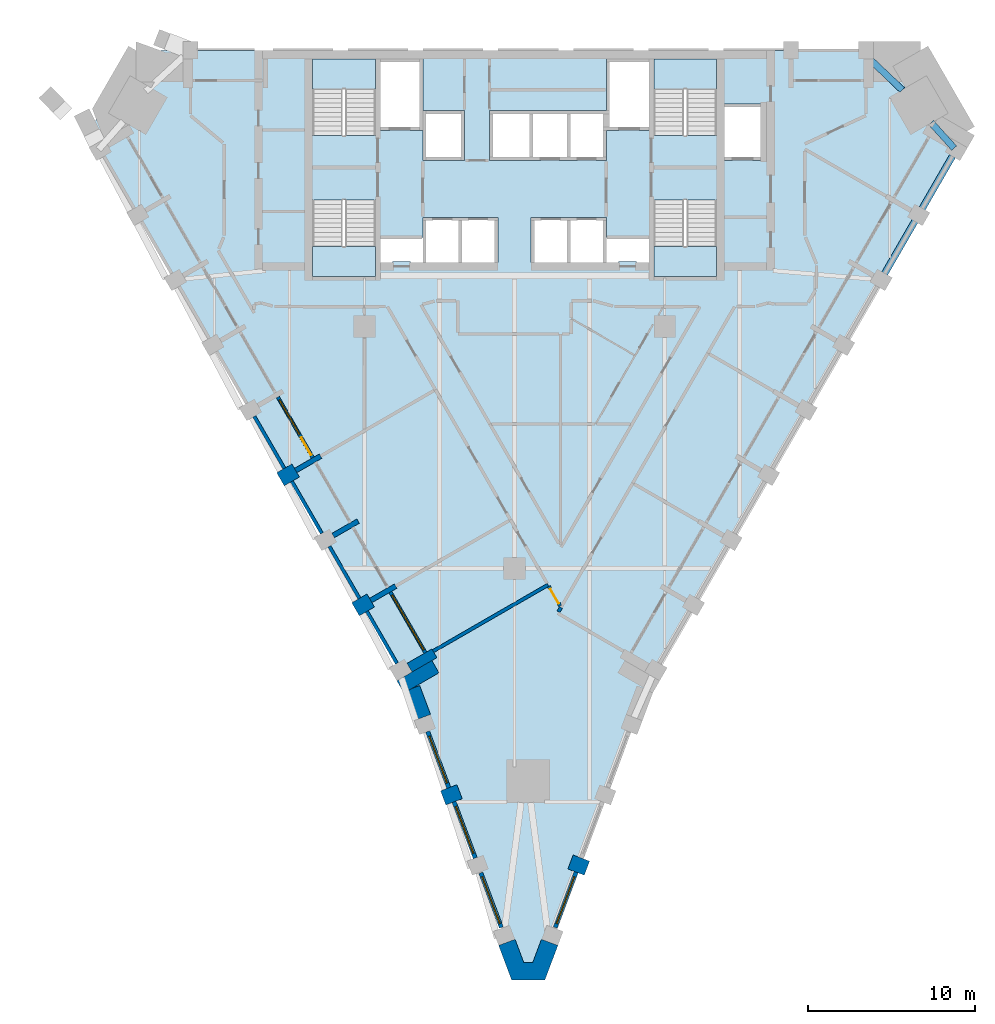
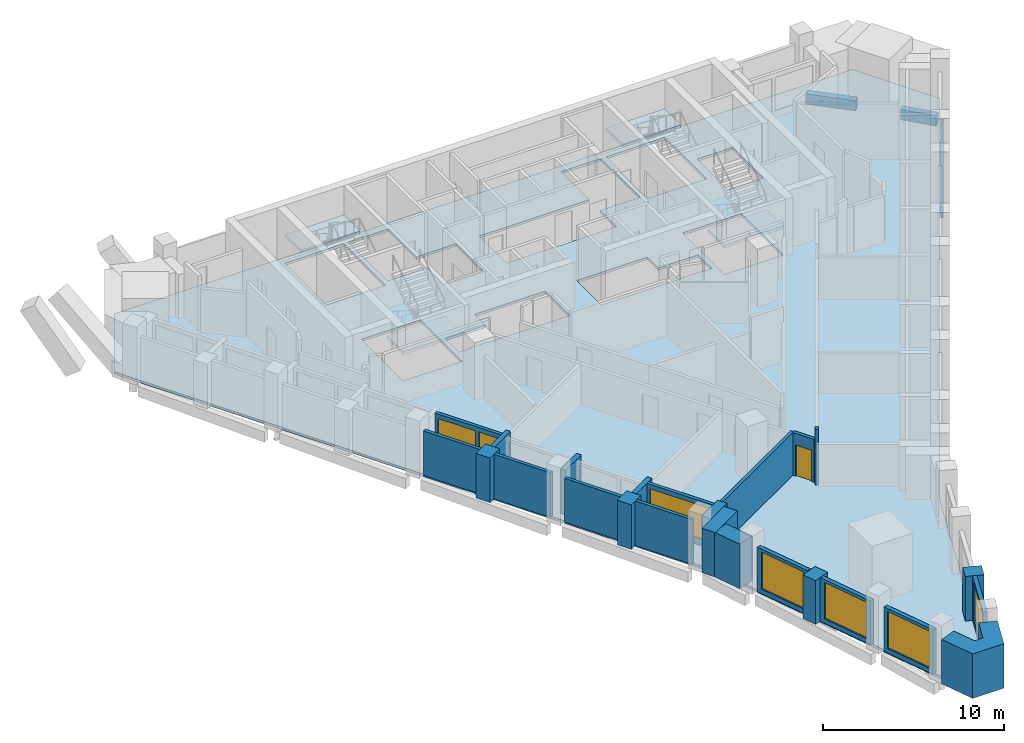
# One storey, part 2 of 10: 24 walls, 6 windows, 5 slabs, 3 beams, 2 doors, 8 openings, 4 elements without a shape of their own.
"""IFC4 building model written with IfcOpenShell, lengths in metres."""

import ifcopenshell
import ifcopenshell.guid

model = None  # the IFC model being written
_history = None  # IfcOwnerHistory: only IFC2X3 demands one
_inside = {}  # id of a spatial element -> (the spatial element, [elements in it])
_under = {}  # id of a project, library or spatial element -> (it, [spatial elements below it])
_declared = {}  # id of a project -> (the project, [libraries it declares])
_typed = {}  # id of a type object -> (the type object, [elements of that type])
_made_of = {}  # id of a material, layer set ... -> (it, [elements and type objects made of it])


def new_model(schema):
    """Start an empty IFC model of exactly this schema.

    Asked for "IFC4X3", IfcOpenShell would pick the latest addendum, in which some entities
    have other attributes; the version numbers below select the first issue.
    IFC2X3 requires an IfcOwnerHistory on every rooted entity: one is made here for all.
    """
    global model, _history
    if schema == "IFC4X3":
        model = ifcopenshell.file(schema_version=(4, 3, 0, 0))
    else:
        model = ifcopenshell.file(schema=schema)
    _inside.clear()
    _under.clear()
    _declared.clear()
    _typed.clear()
    _made_of.clear()
    _history = None
    if model.schema == "IFC2X3":
        org = make("IfcOrganization", Name="unknown")
        user = make(
            "IfcPersonAndOrganization",
            ThePerson=make("IfcPerson", FamilyName="unknown"),
            TheOrganization=org,
        )
        app = make(
            "IfcApplication",
            ApplicationDeveloper=org,
            Version="unknown",
            ApplicationFullName="unknown",
            ApplicationIdentifier="unknown",
        )
        _history = make(
            "IfcOwnerHistory",
            OwningUser=user,
            OwningApplication=app,
            ChangeAction="ADDED",
            CreationDate=0,
        )
    return model


def make(cls, **values):
    """One entity of the class cls with the attributes given. An attribute that is None is left unset."""
    return model.create_entity(
        cls, **{name: value for name, value in values.items() if value is not None}
    )


def rooted(cls, **values):
    """An entity with a GlobalId (a new one), such as an element, a storey or a relation."""
    return make(cls, GlobalId=ifcopenshell.guid.new(), OwnerHistory=_history, **values)


def si_unit(unit_type, name, prefix=None):
    """IfcSIUnit, for example si_unit("LENGTHUNIT", "METRE", prefix="MILLI")."""
    return make("IfcSIUnit", UnitType=unit_type, Prefix=prefix, Name=name)


def assignment(units):
    """IfcUnitAssignment: the units of a project."""
    return None if units is None else make("IfcUnitAssignment", Units=units)


def point(xyz):
    """IfcCartesianPoint."""
    return None if xyz is None else make("IfcCartesianPoint", Coordinates=xyz)


def direction(xyz):
    """IfcDirection."""
    return None if xyz is None else make("IfcDirection", DirectionRatios=xyz)


def frame(location, z_axis=None, x_axis=None):
    """IfcAxis2Placement3D, a coordinate frame: its origin and axes. An axis left out is left unset."""
    return make(
        "IfcAxis2Placement3D",
        Location=point(location),
        Axis=direction(z_axis),
        RefDirection=direction(x_axis),
    )


def frame_2d(location, x_axis=None):
    """IfcAxis2Placement2D, a coordinate frame in the plane: its origin and x axis."""
    return make(
        "IfcAxis2Placement2D", Location=point(location), RefDirection=direction(x_axis)
    )


def origin():
    """The frame at (0, 0, 0) with its axes left unset."""
    return frame((0.0, 0.0, 0.0))


def origin_2d():
    """The frame at (0, 0) in the plane with its x axis left unset."""
    return frame_2d((0.0, 0.0))


def place(relative_to, where):
    """IfcLocalPlacement: puts the frame where relative to a parent placement (None: the world)."""
    return make(
        "IfcLocalPlacement", PlacementRelTo=relative_to, RelativePlacement=where
    )


def context(
    kind, dimensions, precision=None, world=None, true_north=None, identifier=None
):
    """IfcGeometricRepresentationContext, for example the 3D "Model" context."""
    return make(
        "IfcGeometricRepresentationContext",
        ContextIdentifier=identifier,
        ContextType=kind,
        CoordinateSpaceDimension=dimensions,
        Precision=precision,
        WorldCoordinateSystem=world,
        TrueNorth=true_north,
    )


def subcontext(parent, identifier, kind, view, scale=None):
    """IfcGeometricRepresentationSubContext, for example "Body" below "Model"."""
    return make(
        "IfcGeometricRepresentationSubContext",
        ContextIdentifier=identifier,
        ContextType=kind,
        ParentContext=parent,
        TargetScale=scale,
        TargetView=view,
    )


def project(units=None, contexts=None):
    """IfcProject with its units and contexts."""
    return rooted(
        "IfcProject",
        Name="project",
        RepresentationContexts=contexts,
        UnitsInContext=assignment(units),
    )


def spatial(cls, under=None, at=None, **own):
    """A site, building, storey or space (cls), placed at a placement, below another one or the project."""
    s = rooted(cls, ObjectPlacement=at, **own)
    if under is not None:
        _under.setdefault(under.id(), (under, []))[1].append(s)
    return s


def polyline(points):
    """IfcPolyline through the points."""
    return make("IfcPolyline", Points=[point(p) for p in points])


def profile(cls, at=None, kind="AREA", **sizes):
    """A parametric profile (cls). Its sizes go by their IFC names, for example OverallWidth=200.0."""
    return make(cls, ProfileType=kind, Position=at, **sizes)


def rectangle(**sizes):
    """IfcRectangleProfileDef."""
    return profile("IfcRectangleProfileDef", **sizes)


def outline(outer, holes=None, kind="AREA"):
    """IfcArbitraryClosedProfileDef: a profile drawn as a closed curve; with holes, ...WithVoids."""
    if holes is None:
        return make("IfcArbitraryClosedProfileDef", ProfileType=kind, OuterCurve=outer)
    return make(
        "IfcArbitraryProfileDefWithVoids",
        ProfileType=kind,
        OuterCurve=outer,
        InnerCurves=holes,
    )


def extrude(swept, where, along, depth):
    """IfcExtrudedAreaSolid: the profile swept, set in the frame where, extruded along a direction by depth."""
    return make(
        "IfcExtrudedAreaSolid",
        SweptArea=swept,
        Position=where,
        ExtrudedDirection=direction(along),
        Depth=depth,
    )


def shape(context_of_items, identifier, shape_type, items):
    """IfcShapeRepresentation: the items that make up one representation, for example the "Body"."""
    return make(
        "IfcShapeRepresentation",
        ContextOfItems=context_of_items,
        RepresentationIdentifier=identifier,
        RepresentationType=shape_type,
        Items=items,
    )


def material(Name=None, Category=None):
    """IfcMaterial."""
    return make("IfcMaterial", Name=Name, Category=Category)


def layer(
    of_material, thickness, ventilated=None, Name=None, Category=None, Priority=None
):
    """IfcMaterialLayer: one layer of a wall or slab, of a material (None: an air gap)."""
    return make(
        "IfcMaterialLayer",
        Material=of_material,
        LayerThickness=thickness,
        IsVentilated=ventilated,
        Name=Name,
        Category=Category,
        Priority=Priority,
    )


def layer_set(layers, Name=None):
    """IfcMaterialLayerSet."""
    return make("IfcMaterialLayerSet", MaterialLayers=layers, LayerSetName=Name)


def material_profile(
    of_material, cross_section, Name=None, Category=None, Priority=None
):
    """IfcMaterialProfile: a cross section and its material."""
    return make(
        "IfcMaterialProfile",
        Name=Name,
        Material=of_material,
        Profile=cross_section,
        Priority=Priority,
        Category=Category,
    )


def profile_set(profiles, Name=None, composite=None):
    """IfcMaterialProfileSet."""
    return make(
        "IfcMaterialProfileSet",
        Name=Name,
        MaterialProfiles=profiles,
        CompositeProfile=composite,
    )


def made_of(thing, what):
    """Note that an element or type object is made of a material, layer set ...; save() writes the relation."""
    if what is not None:
        _made_of.setdefault(what.id(), (what, []))[1].append(thing)
    return thing


def type_object(cls, material=None, **own):
    """A type object (cls), such as IfcWallType, which elements share."""
    return made_of(rooted(cls, **own), material)


def element(
    cls,
    number,
    at=None,
    inside=None,
    cuts=None,
    type_object=None,
    material=None,
    context=None,
    identifier="Body",
    shape_type=None,
    held_by="IfcProductDefinitionShape",
    body=None,
    shapes=None,
    **own,
):
    """One element of the class cls, such as IfcWall. Its Tag is "e" and its number.

    at: its placement. inside: the storey or other place that contains it. cuts: it is an
    opening in that element (IfcRelVoidsElement). A single representation is given by context,
    identifier, shape_type and body (its items); several are given by shapes. held_by: the class
    of the entity that holds the representations. save() writes the other relations.
    """
    e = rooted(cls, Tag="e%d" % number, ObjectPlacement=at, **own)
    if body is not None:
        shapes = [shape(context, identifier, shape_type, body)]
    if shapes is not None:
        e.Representation = make(held_by, Representations=shapes)
    if inside is not None:
        _inside.setdefault(inside.id(), (inside, []))[1].append(e)
    if cuts is not None:
        rooted(
            "IfcRelVoidsElement", RelatingBuildingElement=cuts, RelatedOpeningElement=e
        )
    if type_object is not None:
        _typed.setdefault(type_object.id(), (type_object, []))[1].append(e)
    return made_of(e, material)


def fill(opening, filler):
    """IfcRelFillsElement: the door or window that sits in an opening."""
    return rooted(
        "IfcRelFillsElement",
        RelatingOpeningElement=opening,
        RelatedBuildingElement=filler,
    )


def aggregate(whole, parts):
    """IfcRelAggregates: a whole, such as a stair, and the parts it consists of."""
    return rooted("IfcRelAggregates", RelatingObject=whole, RelatedObjects=parts)


def save(model, path):
    """Write the relations noted so far, then the file.

    IfcRelAggregates (storeys below a building ...), IfcRelContainedInSpatialStructure (elements
    in a storey), IfcRelDefinesByType, IfcRelAssociatesMaterial and IfcRelDeclares: one each for
    every whole, place, type object, material and project.
    """
    for whole, parts in _under.values():
        aggregate(whole, parts)
    for where, things in _inside.values():
        rooted(
            "IfcRelContainedInSpatialStructure",
            RelatedElements=things,
            RelatingStructure=where,
        )
    for kind, things in _typed.values():
        rooted("IfcRelDefinesByType", RelatedObjects=things, RelatingType=kind)
    for what, things in _made_of.values():
        rooted("IfcRelAssociatesMaterial", RelatedObjects=things, RelatingMaterial=what)
    for by, libraries in _declared.values():
        rooted("IfcRelDeclares", RelatingContext=by, RelatedDefinitions=libraries)
    model.write(path)


model = new_model("IFC4")

# Units and contexts
model_context = context("Model", 3, precision=1e-05, world=origin(), true_north=direction((0.0, 1.0)))
body_context = subcontext(model_context, "Body", "Model", "MODEL_VIEW")
ifc_project = project(units=[si_unit("LENGTHUNIT", "METRE"), si_unit("AREAUNIT", "SQUARE_METRE"), si_unit("VOLUMEUNIT", "CUBIC_METRE"), si_unit("PLANEANGLEUNIT", "RADIAN"), si_unit("MASSUNIT", "GRAM", prefix="KILO")], contexts=[model_context])

# Site, building, storey
site_placement = place(None, origin())
site = spatial("IfcSite", under=ifc_project, at=site_placement, CompositionType="ELEMENT")
building_placement = place(site_placement, origin())
building = spatial("IfcBuilding", under=site, at=building_placement, Name="Calabash Gate Tower", CompositionType="ELEMENT")
storey_placement = place(building_placement, frame((0.0, 0.0, 183.60009765625)))
storey = spatial("IfcBuildingStorey", under=building, at=storey_placement, Name="L43", CompositionType="ELEMENT", Elevation=183.60009765625)

# Beams
ifc_material_1 = material(Name="Concrete C50/60", Category="concrete")
ifc_material_profile = material_profile(ifc_material_1, rectangle(XDim=0.39990234375, YDim=0.699951171875, at=origin_2d()))
ifc_profile_set = profile_set([ifc_material_profile], Name="Concrete C50/60")
beam_type = type_object("IfcBeamType", Name="Edge beam RC 400x700 Concrete C50/60", PredefinedType="BEAM", material=ifc_profile_set)
beam_1_placement = place(storey_placement, frame((21.98095703125, 5.31591796875, -0.52001953125), z_axis=(0.499942523257, 0.866058585455, 0.0), x_axis=(-0.866058585455, 0.499942523257, 0.0)))
element("IfcBeam", 1, at=beam_1_placement, inside=storey, type_object=beam_type, Name="Edge beam L43 14", PredefinedType="BEAM", context=body_context, shape_type="SweptSolid", body=[
    extrude(rectangle(XDim=0.39990234375, YDim=0.699951171875, at=origin_2d()), origin(), (0.0, 0.0, 1.0), 8.546875),
])
beam_2_placement = place(storey_placement, frame((26.35400390625, 13.197021484375, -0.52001953125), z_axis=(-0.671618813869, 0.740896867896, 0.0), x_axis=(-0.740896867896, -0.671618813869, 0.0)))
element("IfcBeam", 2, at=beam_2_placement, inside=storey, type_object=beam_type, Name="Edge beam L43 15", PredefinedType="BEAM", context=body_context, shape_type="SweptSolid", body=[
    extrude(rectangle(XDim=0.39990234375, YDim=0.699951171875, at=origin_2d()), origin(), (0.0, 0.0, 1.0), 2.065185546875),
])
beam_3_placement = place(storey_placement, frame((23.242919921875, 16.68603515625, -0.52001953125), z_axis=(-0.725726019307, 0.687983826045, 0.0), x_axis=(-0.687983826045, -0.725726019307, 0.0)))
element("IfcBeam", 3, at=beam_3_placement, inside=storey, type_object=beam_type, Name="Edge beam L43 16", PredefinedType="BEAM", context=body_context, shape_type="SweptSolid", body=[
    extrude(rectangle(XDim=0.39990234375, YDim=0.699951171875, at=origin_2d()), origin(), (0.0, 0.0, 1.0), 2.859130859375),
])

# Slab
ifc_material_2 = material(Name="Concrete C40/50", Category="concrete")
ifc_layer_1 = layer(ifc_material_2, 0.169921875)
ifc_layer_set_1 = layer_set([ifc_layer_1], Name="Composite floor slab 170 Concrete C40/50")
slab_type_1 = type_object("IfcSlabType", Name="Composite floor slab 170 Concrete C40/50", PredefinedType="FLOOR", material=ifc_layer_set_1)
slab_1_placement = place(storey_placement, frame((0.0, 0.0, -0.170166015625)))
element("IfcSlab", 4, at=slab_1_placement, inside=storey, type_object=slab_type_1, Name="Floor slab L43", PredefinedType="FLOOR", context=body_context, shape_type="SweptSolid", body=[
    extrude(outline(polyline([(-22.68798828125, 19.052490234375), (24.33154296875, 19.052490234375), (27.12158203125, 14.22021484375), (7.82177734375, -19.207763671875), (1.455078125, -36.147216796875), (0.1884765625, -36.147216796875), (-6.17822265625, -19.207763671875), (-25.477783203125, 14.22021484375), (-22.68798828125, 19.052490234375)]), holes=[polyline([(-3.25, 9.052490234375), (-5.5, 9.052490234375), (-5.5, 7.8525390625), (-8.050048828125, 7.8525390625), (-8.050048828125, 6.3525390625), (-7.324951171875, 6.3525390625), (-7.324951171875, 6.402587890625), (-6.22509765625, 6.402587890625), (-6.22509765625, 6.3525390625), (-5.5, 6.3525390625), (-3.25, 6.3525390625), (-1.0, 6.3525390625), (-1.0, 9.052490234375), (-3.25, 9.052490234375)]), polyline([(5.5, 6.3525390625), (6.22509765625, 6.3525390625), (6.22509765625, 6.402587890625), (7.324951171875, 6.402587890625), (7.324951171875, 6.3525390625), (8.050048828125, 6.3525390625), (8.050048828125, 7.8525390625), (5.5, 7.8525390625), (5.5, 9.052490234375), (3.25, 9.052490234375), (1.0, 9.052490234375), (1.0, 6.3525390625), (3.25, 6.3525390625), (5.5, 6.3525390625)]), polyline([(-5.5, 12.45263671875), (-3.0, 12.45263671875), (-3.0, 15.45263671875), (-5.5, 15.45263671875), (-5.5, 18.552490234375), (-8.050048828125, 18.552490234375), (-8.050048828125, 14.252685546875), (-5.5, 14.252685546875), (-5.5, 12.45263671875)]), polyline([(-1.5, 15.45263671875), (-1.5, 12.45263671875), (1.0, 12.45263671875), (3.25, 12.45263671875), (5.5, 12.45263671875), (5.5, 14.252685546875), (8.050048828125, 14.252685546875), (8.050048828125, 18.552490234375), (5.5, 18.552490234375), (5.5, 15.45263671875), (3.25, 15.45263671875), (1.0, 15.45263671875), (-1.5, 15.45263671875)]), polyline([(14.85009765625, 15.8525390625), (12.60009765625, 15.8525390625), (12.60009765625, 12.45263671875), (14.85009765625, 12.45263671875), (14.85009765625, 15.8525390625)]), polyline([(-8.35009765625, 18.552490234375), (-12.10009765625, 18.552490234375), (-12.10009765625, 13.95263671875), (-8.35009765625, 13.95263671875), (-8.35009765625, 18.552490234375)]), polyline([(-12.10009765625, 10.1025390625), (-12.10009765625, 5.502685546875), (-8.35009765625, 5.502685546875), (-8.35009765625, 10.1025390625), (-12.10009765625, 10.1025390625)]), polyline([(8.35009765625, 13.95263671875), (12.10009765625, 13.95263671875), (12.10009765625, 18.552490234375), (8.35009765625, 18.552490234375), (8.35009765625, 13.95263671875)]), polyline([(12.10009765625, 5.502685546875), (12.10009765625, 10.1025390625), (8.35009765625, 10.1025390625), (8.35009765625, 5.502685546875), (12.10009765625, 5.502685546875)])]), origin(), (0.0, 0.0, 1.0), 0.170166015625),
])

# Stair, slab
ifc_material_3 = material(Name="Concrete C40/50", Category="concrete")
stair_type = type_object("IfcStairType", Name="Exit stair 22 risers of 177.3 mm", PredefinedType="HALF_TURN_STAIR", material=ifc_material_3)
stair_1_placement = place(storey_placement, origin())
stair_1 = element("IfcStair", 5, at=stair_1_placement, inside=storey, type_object=stair_type, Name="L43 Exit stair ST1", PredefinedType="HALF_TURN_STAIR")
ifc_material_4 = material(Name="Concrete C40/50", Category="concrete")
ifc_layer_2 = layer(ifc_material_4, 0.199951171875)
ifc_layer_set_2 = layer_set([ifc_layer_2], Name="Stair landing SL200")
slab_type_2 = type_object("IfcSlabType", Name="Stair landing SL200", PredefinedType="LANDING", material=ifc_layer_set_2)
slab_2_placement = place(storey_placement, frame((0.0, 0.0, 1.75)))
slab_2 = element("IfcSlab", 6, at=slab_2_placement, type_object=slab_type_2, Name="ST1 landing 1", PredefinedType="LANDING", context=body_context, shape_type="SweptSolid", body=[
    extrude(outline(polyline([(-8.35009765625, 16.74267578125), (-8.35009765625, 18.552490234375), (-12.10009765625, 18.552490234375), (-12.10009765625, 16.74267578125), (-8.35009765625, 16.74267578125)])), origin(), (0.0, 0.0, 1.0), 0.199951171875),
])
aggregate(stair_1, [slab_2])

stair_2_placement = place(storey_placement, origin())
stair_2 = element("IfcStair", 7, at=stair_2_placement, inside=storey, type_object=stair_type, Name="L43 Exit stair ST2", PredefinedType="HALF_TURN_STAIR")
slab_3_placement = place(storey_placement, frame((0.0, 0.0, 1.75)))
slab_3 = element("IfcSlab", 8, at=slab_3_placement, type_object=slab_type_2, Name="ST2 landing 1", PredefinedType="LANDING", context=body_context, shape_type="SweptSolid", body=[
    extrude(outline(polyline([(-12.10009765625, 7.3125), (-12.10009765625, 5.502685546875), (-8.35009765625, 5.502685546875), (-8.35009765625, 7.3125), (-12.10009765625, 7.3125)])), origin(), (0.0, 0.0, 1.0), 0.199951171875),
])
aggregate(stair_2, [slab_3])

stair_3_placement = place(storey_placement, origin())
stair_3 = element("IfcStair", 9, at=stair_3_placement, inside=storey, type_object=stair_type, Name="L43 Exit stair ST3", PredefinedType="HALF_TURN_STAIR")
slab_4_placement = place(storey_placement, frame((0.0, 0.0, 1.75)))
slab_4 = element("IfcSlab", 10, at=slab_4_placement, type_object=slab_type_2, Name="ST3 landing 1", PredefinedType="LANDING", context=body_context, shape_type="SweptSolid", body=[
    extrude(outline(polyline([(12.10009765625, 16.74267578125), (12.10009765625, 18.552490234375), (8.35009765625, 18.552490234375), (8.35009765625, 16.74267578125), (12.10009765625, 16.74267578125)])), origin(), (0.0, 0.0, 1.0), 0.199951171875),
])
aggregate(stair_3, [slab_4])

stair_4_placement = place(storey_placement, origin())
stair_4 = element("IfcStair", 11, at=stair_4_placement, inside=storey, type_object=stair_type, Name="L43 Exit stair ST4", PredefinedType="HALF_TURN_STAIR")
slab_5_placement = place(storey_placement, frame((0.0, 0.0, 1.75)))
slab_5 = element("IfcSlab", 12, at=slab_5_placement, type_object=slab_type_2, Name="ST4 landing 1", PredefinedType="LANDING", context=body_context, shape_type="SweptSolid", body=[
    extrude(outline(polyline([(8.35009765625, 7.3125), (8.35009765625, 5.502685546875), (12.10009765625, 5.502685546875), (12.10009765625, 7.3125), (8.35009765625, 7.3125)])), origin(), (0.0, 0.0, 1.0), 0.199951171875),
])
aggregate(stair_4, [slab_5])

# Walls
ifc_material_5 = material(Name="Terracotta brick masonry, exposed face", Category="masonry")
ifc_layer_3 = layer(ifc_material_5, 2.425048828125)
ifc_layer_set_3 = layer_set([ifc_layer_3], Name="Brick corner mass wall 2425")
wall_type_1 = type_object("IfcWallType", Name="Brick corner mass wall 2425", PredefinedType="SOLIDWALL", material=ifc_layer_set_3)
wall_1_placement = place(storey_placement, frame((-6.84521484375, -19.102294921875, 0.0), z_axis=(0.0, 0.0, 1.0), x_axis=(0.866041403502, 0.499972286653, 0.0)))
element("IfcWall", 13, at=wall_1_placement, inside=storey, type_object=wall_type_1, Name="Brick corner pier S12 1", PredefinedType="SOLIDWALL", context=body_context, shape_type="SweptSolid", body=[
    extrude(rectangle(XDim=2.425048828125, YDim=0.849609375, at=frame_2d((1.21240234375, 0.0))), origin(), (0.0, 0.0, 1.0), 3.0),
])
ifc_material_6 = material(Name="Terracotta brick masonry, exposed face", Category="masonry")
ifc_layer_4 = layer(ifc_material_6, 1.050048828125)
ifc_layer_set_4 = layer_set([ifc_layer_4], Name="Brick end wall 1050")
wall_type_2 = type_object("IfcWallType", Name="Brick end wall 1050", PredefinedType="SOLIDWALL", material=ifc_layer_set_4)
for number, where, z_axis, x_axis, name in (
    (14, (-14.03271484375, -6.6533203125, 0.0), (0.0, 0.0, 1.0), (0.866088799389, 0.499890179513, 0.0), "Brick pier S12 SW0.5"),
    (15, (-8.623291015625, -13.922607421875, 0.0), (0.0, 0.0, 1.0), (-0.866088799389, -0.499890179513, 0.0), "Brick pier S12 SW0.7"),
):
    element("IfcWall", number, at=place(storey_placement, frame(where, z_axis=z_axis, x_axis=x_axis)), inside=storey, type_object=wall_type_2, Name=name, PredefinedType="SOLIDWALL", context=body_context, shape_type="SweptSolid", body=[
        extrude(rectangle(XDim=1.050048828125, YDim=0.89990234375, at=frame_2d((0.52490234375, 0.0))), origin(), (0.0, 0.0, 1.0), 3.0),
    ])
wall_2_placement = place(storey_placement, frame((-3.294921875, -25.38671875, 0.0), z_axis=(0.0, 0.0, 1.0), x_axis=(-0.936080509118, -0.351785844584, 0.0)))
element("IfcWall", 16, at=wall_2_placement, inside=storey, type_object=wall_type_2, Name="Brick pier S12 wedge1.1", PredefinedType="SOLIDWALL", context=body_context, shape_type="SweptSolid", body=[
    extrude(rectangle(XDim=1.050048828125, YDim=0.89990234375, at=frame_2d((0.52490234375, 0.0))), origin(), (0.0, 0.0, 1.0), 2.949951171875),
])
wall_3_placement = place(storey_placement, frame((3.35546875, -29.598876953125, 0.0), z_axis=(0.0, 0.0, 1.0), x_axis=(0.936003928089, -0.351989554676, 0.0)))
element("IfcWall", 17, at=wall_3_placement, inside=storey, type_object=wall_type_2, Name="Brick pier S12 wedge3.1", PredefinedType="SOLIDWALL", context=body_context, shape_type="SweptSolid", body=[
    extrude(rectangle(XDim=1.050048828125, YDim=0.89990234375, at=frame_2d((0.52490234375, 0.0))), origin(), (0.0, 0.0, 1.0), 3.0),
])
wall_4_placement = place(storey_placement, origin())
element("IfcWall", 18, at=wall_4_placement, inside=storey, type_object=wall_type_2, Name="Brick end wall S12 1", PredefinedType="SOLIDWALL", context=body_context, shape_type="SweptSolid", body=[
    extrude(outline(polyline([(-5.036376953125, -20.753173828125), (-5.686767578125, -19.023193359375), (-6.17822265625, -19.207763671875), (-6.6328125, -19.47021484375), (-6.654296875, -19.432861328125), (-6.01953125, -21.122314453125), (-5.036865234375, -20.753173828125), (-5.036865234375, -20.753173828125), (-5.036376953125, -20.753173828125)])), origin(), (0.0, 0.0, 1.0), 3.0),
])
wall_5_placement = place(storey_placement, origin())
element("IfcWall", 19, at=wall_5_placement, inside=storey, type_object=wall_type_2, Name="Brick end wall S12 2", PredefinedType="SOLIDWALL", context=body_context, shape_type="SweptSolid", body=[
    extrude(outline(polyline([(0.552001953125, -35.622314453125), (0.02978515625, -34.232421875), (-0.953125, -34.60205078125), (-0.175048828125, -36.67236328125), (1.818603515625, -36.67236328125), (2.596923828125, -34.601806640625), (1.614013671875, -34.232421875), (1.091552734375, -35.622314453125), (0.552001953125, -35.622314453125)])), origin(), (0.0, 0.0, 1.0), 3.0),
])
ifc_material_7 = material(Name="Terracotta brick masonry, exposed face", Category="masonry")
ifc_layer_5 = layer(ifc_material_7, 0.300048828125)
ifc_layer_set_5 = layer_set([ifc_layer_5], Name="Brick loggia cheek wall 300")
wall_type_3 = type_object("IfcWallType", Name="Brick loggia cheek wall 300", PredefinedType="SOLIDWALL", material=ifc_layer_set_5)
wall_6_placement = place(storey_placement, frame((-11.62939453125, -5.265869140625, 0.0), z_axis=(0.0, 0.0, 1.0), x_axis=(-0.866013532718, -0.500020560727, 0.0)))
element("IfcWall", 20, at=wall_6_placement, inside=storey, type_object=wall_type_3, Name="Loggia cheek S12 SW0.5", PredefinedType="SOLIDWALL", context=body_context, shape_type="SweptSolid", body=[
    extrude(rectangle(XDim=1.72509765625, YDim=0.300048828125, at=frame_2d((0.862548828125, 0.0))), origin(), (0.0, 0.0, 1.0), 3.0),
])
wall_7_placement = place(storey_placement, frame((-9.37939453125, -9.1630859375, 0.0), z_axis=(0.0, 0.0, 1.0), x_axis=(-0.866074815912, -0.499914405916, 0.0)))
element("IfcWall", 21, at=wall_7_placement, inside=storey, type_object=wall_type_3, Name="Loggia cheek S12 SW0.6", PredefinedType="SOLIDWALL", context=body_context, shape_type="SweptSolid", body=[
    extrude(rectangle(XDim=1.724853515625, YDim=0.300048828125, at=frame_2d((0.8623046875, 0.0))), origin(), (0.0, 0.0, 1.0), 3.0),
])
wall_8_placement = place(storey_placement, frame((-8.623291015625, -13.922607421875, 0.0), z_axis=(0.0, 0.0, 1.0), x_axis=(0.866013532718, 0.500020560727, 0.0)))
element("IfcWall", 22, at=wall_8_placement, inside=storey, type_object=wall_type_3, Name="Loggia cheek S12 SW0.7", PredefinedType="SOLIDWALL", context=body_context, shape_type="SweptSolid", body=[
    extrude(rectangle(XDim=1.72509765625, YDim=0.300048828125, at=frame_2d((0.862548828125, 0.0))), origin(), (0.0, 0.0, 1.0), 3.0),
])
wall_9_placement = place(storey_placement, frame((-4.804443359375, -17.087158203125, 0.0), z_axis=(0.0, 0.0, 1.0), x_axis=(-0.866013532718, -0.500020560727, 0.0)))
element("IfcWall", 23, at=wall_9_placement, inside=storey, type_object=wall_type_3, Name="Loggia cheek S12 SW0.8", PredefinedType="SOLIDWALL", context=body_context, shape_type="SweptSolid", body=[
    extrude(rectangle(XDim=1.72509765625, YDim=0.60009765625, at=frame_2d((0.862548828125, 0.0))), origin(), (0.0, 0.0, 1.0), 3.0),
])
ifc_material_8 = material(Name="Gypsum board on steel studs, mineral wool", Category="steel")
ifc_layer_6 = layer(ifc_material_8, 0.199951171875)
ifc_layer_set_6 = layer_set([ifc_layer_6], Name="Partition 200 gypsum board EI 60")
wall_type_4 = type_object("IfcWallType", Name="Partition 200 gypsum board EI 60", PredefinedType="PARTITIONING", material=ifc_layer_set_6)
wall_10_placement = place(storey_placement, frame((2.63232421875, -14.595947265625, 0.0), z_axis=(0.0, 0.0, 1.0), x_axis=(0.499074005857, 0.866559367082, 0.0)))
element("IfcWall", 24, at=wall_10_placement, inside=storey, type_object=wall_type_4, Name="Partition", PredefinedType="PARTITIONING", context=body_context, shape_type="SweptSolid", body=[
    extrude(rectangle(XDim=0.30419921875, YDim=0.199951171875, at=frame_2d((0.152099609375, 0.0))), origin(), (0.0, 0.0, 1.0), 3.72998046875),
])

# Wall, opening, door
wall_11_placement = place(storey_placement, frame((2.05419921875, -13.0703125, 0.0), z_axis=(0.0, 0.0, 1.0), x_axis=(0.500759821175, -0.865586276172, 0.0)))
wall_11 = element("IfcWall", 25, at=wall_11_placement, inside=storey, type_object=wall_type_4, Name="Partition", PredefinedType="PARTITIONING", context=body_context, shape_type="SweptSolid", body=[
    extrude(rectangle(XDim=1.35791015625, YDim=0.199951171875, at=frame_2d((0.678955078125, 0.0))), origin(), (0.0, 0.0, 1.0), 2.884033203125),
])
opening_1_placement = place(wall_11_placement, frame((0.178955078125, 0.0, 0.0)))
opening_1 = element("IfcOpeningElement", 26, at=opening_1_placement, cuts=wall_11, Name="Opening 42-44-011", PredefinedType="OPENING", context=body_context, shape_type="SweptSolid", body=[
    extrude(rectangle(XDim=1.0, YDim=2.10009765625, at=frame_2d((0.5, 1.050048828125))), frame((0.0, 0.10986328125, 0.0), z_axis=(0.0, -1.0, 0.0), x_axis=(1.0, 0.0, 0.0)), (0.0, 0.0, 1.0), 0.219970703125),
])
ifc_material_9 = material(Name="Steel fire door set with fire-resisting glazing", Category="steel")
door_type_1 = type_object("IfcDoorType", Name="LD2 Meeting room door 1000x2100", OperationType="NOTDEFINED", PredefinedType="DOOR", material=ifc_material_9)
door_1_placement = place(opening_1_placement, origin())
door_1 = element("IfcDoor", 27, at=door_1_placement, inside=storey, type_object=door_type_1, Name="Meeting room door", OperationType="SINGLE_SWING_RIGHT", OverallHeight=2.10009765625, OverallWidth=1.0, PredefinedType="DOOR", context=body_context, shape_type="SweptSolid", body=[
    extrude(rectangle(XDim=1.0, YDim=2.10009765625, at=frame_2d((0.5, 1.050048828125))), frame((0.0, 0.02490234375, 0.0), z_axis=(0.0, -1.0, 0.0), x_axis=(1.0, 0.0, 0.0)), (0.0, 0.0, 1.0), 0.050048828125),
])
fill(opening_1, door_1)

# Wall
wall_12_placement = place(storey_placement, frame((-4.879150390625, -16.957763671875, 0.0), z_axis=(0.0, 0.0, 1.0), x_axis=(0.866110929286, 0.499851836219, 0.0)))
element("IfcWall", 28, at=wall_12_placement, inside=storey, type_object=wall_type_4, Name="Partition", PredefinedType="PARTITIONING", context=body_context, shape_type="SweptSolid", body=[
    extrude(rectangle(XDim=7.94970703125, YDim=0.199951171875, at=frame_2d((3.974853515625, 0.0))), origin(), (0.0, 0.0, 1.0), 2.884033203125),
])

# Wall, opening, window
ifc_material_10 = material(Name="Aluminium framed window wall with insulated spandrel", Category="aluminium")
ifc_layer_7 = layer(ifc_material_10, 0.25)
ifc_layer_set_7 = layer_set([ifc_layer_7], Name="Prow window wall 250")
wall_type_5 = type_object("IfcWallType", Name="Prow window wall 250", PredefinedType="ELEMENTEDWALL", material=ifc_layer_set_7)
wall_13_placement = place(storey_placement, frame((-5.211181640625, -21.7802734375, 0.0), z_axis=(0.0, 0.0, 1.0), x_axis=(0.351769947693, -0.936086483131, 0.0)))
wall_13 = element("IfcWall", 29, at=wall_13_placement, inside=storey, type_object=wall_type_5, Name="Prow window wall S12 wedge1.1", PredefinedType="ELEMENTEDWALL", context=body_context, shape_type="SweptSolid", body=[
    extrude(rectangle(XDim=3.599853515625, YDim=0.25, at=frame_2d((1.7998046875, 0.0))), origin(), (0.0, 0.0, 1.0), 3.0),
])
opening_2_placement = place(wall_13_placement, frame((0.300048828125, 0.0, 0.300048828125)))
opening_2 = element("IfcOpeningElement", 30, at=opening_2_placement, cuts=wall_13, Name="Opening WP2", PredefinedType="OPENING", context=body_context, shape_type="SweptSolid", body=[
    extrude(rectangle(XDim=3.0, YDim=2.5, at=frame_2d((1.5, 1.25))), frame((0.0, 0.135009765625, 0.0), z_axis=(0.0, -1.0, 0.0), x_axis=(1.0, 0.0, 0.0)), (0.0, 0.0, 1.0), 0.27001953125),
])
ifc_material_11 = material(Name="Anodised aluminium frame, bronze finish, impact-rated laminated clear glazing", Category="aluminium")
window_type_1 = type_object("IfcWindowType", Name="Window WP2 3000x2500", PartitioningType="DOUBLE_PANEL_VERTICAL", PredefinedType="WINDOW", material=ifc_material_11)
window_1_placement = place(opening_2_placement, origin())
window_1 = element("IfcWindow", 31, at=window_1_placement, inside=storey, type_object=window_type_1, Name="Prow window WP2 S12 wedge1.1", OverallHeight=2.5, OverallWidth=3.0, PartitioningType="SINGLE_PANEL", PredefinedType="WINDOW", context=body_context, shape_type="SweptSolid", body=[
    extrude(rectangle(XDim=3.0, YDim=2.5, at=frame_2d((1.5, 1.25))), frame((0.0, 0.030029296875, 0.0), z_axis=(0.0, -1.0, 0.0), x_axis=(1.0, 0.0, 0.0)), (0.0, 0.0, 1.0), 0.06005859375),
])
fill(opening_2, window_1)

wall_14_placement = place(storey_placement, frame((-3.628173828125, -25.99267578125, 0.0), z_axis=(0.0, 0.0, 1.0), x_axis=(0.351829371284, -0.936064150314, 0.0)))
wall_14 = element("IfcWall", 32, at=wall_14_placement, inside=storey, type_object=wall_type_5, Name="Prow window wall S12 wedge1.2", PredefinedType="ELEMENTEDWALL", context=body_context, shape_type="SweptSolid", body=[
    extrude(rectangle(XDim=3.60009765625, YDim=0.25, at=frame_2d((1.800048828125, 0.0))), origin(), (0.0, 0.0, 1.0), 2.949951171875),
])
opening_3_placement = place(wall_14_placement, frame((0.300048828125, 0.0, 0.300048828125)))
opening_3 = element("IfcOpeningElement", 33, at=opening_3_placement, cuts=wall_14, Name="Opening WP2L-2450", PredefinedType="OPENING", context=body_context, shape_type="SweptSolid", body=[
    extrude(rectangle(XDim=3.0, YDim=2.449951171875, at=frame_2d((1.5, 1.22509765625))), frame((0.0, 0.135009765625, 0.0), z_axis=(0.0, -1.0, 0.0), x_axis=(1.0, 0.0, 0.0)), (0.0, 0.0, 1.0), 0.27001953125),
])
ifc_material_12 = material(Name="Anodised aluminium frame, bronze finish, impact-rated laminated clear glazing", Category="aluminium")
window_type_2 = type_object("IfcWindowType", Name="Window WP2L 3000x2450", PartitioningType="DOUBLE_PANEL_VERTICAL", PredefinedType="WINDOW", material=ifc_material_12)
window_2_placement = place(opening_3_placement, origin())
window_2 = element("IfcWindow", 34, at=window_2_placement, inside=storey, type_object=window_type_2, Name="Prow window WP2L S12 wedge1.2", OverallHeight=2.449951171875, OverallWidth=3.0, PartitioningType="SINGLE_PANEL", PredefinedType="WINDOW", context=body_context, shape_type="SweptSolid", body=[
    extrude(rectangle(XDim=3.0, YDim=2.449951171875, at=frame_2d((1.5, 1.22509765625))), frame((0.0, 0.030029296875, 0.0), z_axis=(0.0, -1.0, 0.0), x_axis=(1.0, 0.0, 0.0)), (0.0, 0.0, 1.0), 0.06005859375),
])
fill(opening_3, window_2)

wall_15_placement = place(storey_placement, frame((-2.02734375, -30.251708984375, 0.0), z_axis=(0.0, 0.0, 1.0), x_axis=(0.351849563443, -0.936056560634, 0.0)))
wall_15 = element("IfcWall", 35, at=wall_15_placement, inside=storey, type_object=wall_type_5, Name="Prow window wall S12 wedge1.3", PredefinedType="ELEMENTEDWALL", context=body_context, shape_type="SweptSolid", body=[
    extrude(rectangle(XDim=3.5, YDim=0.25, at=frame_2d((1.75, 0.0))), origin(), (0.0, 0.0, 1.0), 3.0),
])
opening_4_placement = place(wall_15_placement, frame((0.25, 0.0, 0.300048828125)))
opening_4 = element("IfcOpeningElement", 36, at=opening_4_placement, cuts=wall_15, Name="Opening WP2", PredefinedType="OPENING", context=body_context, shape_type="SweptSolid", body=[
    extrude(rectangle(XDim=3.0, YDim=2.5, at=frame_2d((1.5, 1.25))), frame((0.0, 0.135009765625, 0.0), z_axis=(0.0, -1.0, 0.0), x_axis=(1.0, 0.0, 0.0)), (0.0, 0.0, 1.0), 0.27001953125),
])
window_3_placement = place(opening_4_placement, origin())
window_3 = element("IfcWindow", 37, at=window_3_placement, inside=storey, type_object=window_type_1, Name="Prow window WP2 S12 wedge1.3", OverallHeight=2.5, OverallWidth=3.0, PartitioningType="SINGLE_PANEL", PredefinedType="WINDOW", context=body_context, shape_type="SweptSolid", body=[
    extrude(rectangle(XDim=3.0, YDim=2.5, at=frame_2d((1.5, 1.25))), frame((0.0, 0.030029296875, 0.0), z_axis=(0.0, -1.0, 0.0), x_axis=(1.0, 0.0, 0.0)), (0.0, 0.0, 1.0), 0.06005859375),
])
fill(opening_4, window_3)

wall_16_placement = place(storey_placement, frame((2.439697265625, -33.52783203125, 0.0), z_axis=(0.0, 0.0, 1.0), x_axis=(0.351778678894, 0.936083202005, 0.0)))
wall_16 = element("IfcWall", 38, at=wall_16_placement, inside=storey, type_object=wall_type_5, Name="Prow window wall S12 wedge3.1", PredefinedType="ELEMENTEDWALL", context=body_context, shape_type="SweptSolid", body=[
    extrude(rectangle(XDim=3.552001953125, YDim=0.25, at=frame_2d((1.77587890625, 0.0))), origin(), (0.0, 0.0, 1.0), 3.0),
])
opening_5_placement = place(wall_16_placement, frame((0.25, 0.0, 0.300048828125)))
opening_5 = element("IfcOpeningElement", 39, at=opening_5_placement, cuts=wall_16, Name="Opening WP2", PredefinedType="OPENING", context=body_context, shape_type="SweptSolid", body=[
    extrude(rectangle(XDim=3.0, YDim=2.5, at=frame_2d((1.5, 1.25))), frame((0.0, 0.135009765625, 0.0), z_axis=(0.0, -1.0, 0.0), x_axis=(1.0, 0.0, 0.0)), (0.0, 0.0, 1.0), 0.27001953125),
])
window_4_placement = place(opening_5_placement, origin())
window_4 = element("IfcWindow", 40, at=window_4_placement, inside=storey, type_object=window_type_1, Name="Prow window WP2 S12 wedge3.1", OverallHeight=2.5, OverallWidth=3.0, PartitioningType="SINGLE_PANEL", PredefinedType="WINDOW", context=body_context, shape_type="SweptSolid", body=[
    extrude(rectangle(XDim=3.0, YDim=2.5, at=frame_2d((1.5, 1.25))), frame((0.0, 0.030029296875, 0.0), z_axis=(0.0, -1.0, 0.0), x_axis=(1.0, 0.0, 0.0)), (0.0, 0.0, 1.0), 0.06005859375),
])
fill(opening_5, window_4)

# Walls
ifc_material_13 = material(Name="Terracotta brick masonry, perforated", Category="masonry")
ifc_layer_8 = layer(ifc_material_13, 0.199951171875)
ifc_layer_set_8 = layer_set([ifc_layer_8], Name="Terracotta jaali screen B")
wall_type_6 = type_object("IfcWallType", Name="Terracotta jaali screen B", PredefinedType="SOLIDWALL", material=ifc_layer_set_8)
for number, where, z_axis, x_axis, name in (
    (41, (-15.60302734375, -2.883544921875, 0.0), (0.0, 0.0, 1.0), (0.500012057535, -0.866018442252, 0.0), "SCREEN B S12 SW0.5"),
    (42, (-13.35302734375, -6.780517578125, 0.0), (0.0, 0.0, 1.0), (0.500012057535, -0.866018442252, 0.0), "SCREEN B S12 SW0.6"),
):
    element("IfcWall", number, at=place(storey_placement, frame(where, z_axis=z_axis, x_axis=x_axis)), inside=storey, type_object=wall_type_6, Name=name, PredefinedType="SOLIDWALL", context=body_context, shape_type="SweptSolid", body=[
        extrude(rectangle(XDim=3.60009765625, YDim=0.199951171875, at=frame_2d((1.800048828125, 0.0))), origin(), (0.0, 0.0, 1.0), 3.0),
    ])
wall_17_placement = place(storey_placement, frame((-11.10302734375, -10.677734375, 0.0), z_axis=(0.0, 0.0, 1.0), x_axis=(0.500012057535, -0.866018442252, 0.0)))
element("IfcWall", 43, at=wall_17_placement, inside=storey, type_object=wall_type_6, Name="SCREEN B S12 SW0.7", PredefinedType="SOLIDWALL", context=body_context, shape_type="SweptSolid", body=[
    extrude(rectangle(XDim=3.60009765625, YDim=0.199951171875, at=frame_2d((1.800048828125, 0.0))), origin(), (0.0, 0.0, 1.0), 2.949951171875),
])
wall_18_placement = place(storey_placement, frame((-8.85302734375, -14.574951171875, 0.0), z_axis=(0.0, 0.0, 1.0), x_axis=(0.500012057535, -0.866018442252, 0.0)))
element("IfcWall", 44, at=wall_18_placement, inside=storey, type_object=wall_type_6, Name="SCREEN B S12 SW0.8", PredefinedType="SOLIDWALL", context=body_context, shape_type="SweptSolid", body=[
    extrude(rectangle(XDim=3.60009765625, YDim=0.199951171875, at=frame_2d((1.800048828125, 0.0))), origin(), (0.0, 0.0, 1.0), 3.0),
])

# Wall, openings, door, window
ifc_material_14 = material(Name="Aluminium framed window wall with insulated spandrel", Category="aluminium")
ifc_layer_9 = layer(ifc_material_14, 0.199951171875)
ifc_layer_set_9 = layer_set([ifc_layer_9], Name="Window wall 200")
wall_type_7 = type_object("IfcWallType", Name="Window wall 200", PredefinedType="ELEMENTEDWALL", material=ifc_layer_set_9)
wall_19_placement = place(storey_placement, frame((-14.194091796875, -1.7236328125, 0.0), z_axis=(0.0, 0.0, 1.0), x_axis=(0.499958946799, -0.866049104564, 0.0)))
wall_19 = element("IfcWall", 45, at=wall_19_placement, inside=storey, type_object=wall_type_7, Name="Window wall S12 SW0.5", PredefinedType="ELEMENTEDWALL", context=body_context, shape_type="SweptSolid", body=[
    extrude(rectangle(XDim=4.199951171875, YDim=0.199951171875, at=frame_2d((2.10009765625, 0.0))), origin(), (0.0, 0.0, 1.0), 3.0),
])
opening_6_placement = place(wall_19_placement, frame((0.199951171875, 0.0, 0.449951171875)))
opening_6 = element("IfcOpeningElement", 46, at=opening_6_placement, cuts=wall_19, Name="Opening OW1", PredefinedType="OPENING", context=body_context, shape_type="SweptSolid", body=[
    extrude(rectangle(XDim=2.39990234375, YDim=2.25, at=frame_2d((1.199951171875, 1.125))), frame((0.0, 0.10986328125, 0.0), z_axis=(0.0, -1.0, 0.0), x_axis=(1.0, 0.0, 0.0)), (0.0, 0.0, 1.0), 0.219970703125),
])
opening_7_placement = place(wall_19_placement, frame((2.800048828125, 0.0, 0.0)))
opening_7 = element("IfcOpeningElement", 47, at=opening_7_placement, cuts=wall_19, Name="Opening O4-027", PredefinedType="OPENING", context=body_context, shape_type="SweptSolid", body=[
    extrude(rectangle(XDim=1.199951171875, YDim=2.699951171875, at=frame_2d((0.60009765625, 1.35009765625))), frame((0.0, 0.10986328125, 0.0), z_axis=(0.0, -1.0, 0.0), x_axis=(1.0, 0.0, 0.0)), (0.0, 0.0, 1.0), 0.219970703125),
])
ifc_material_15 = material(Name="Anodised aluminium frame, bronze finish, impact-rated laminated clear glazing", Category="aluminium")
door_type_2 = type_object("IfcDoorType", Name="Loggia door DO1 1200x2700", OperationType="SLIDING_TO_LEFT", PredefinedType="DOOR", material=ifc_material_15)
door_2_placement = place(opening_7_placement, origin())
door_2 = element("IfcDoor", 48, at=door_2_placement, inside=storey, type_object=door_type_2, Name="Loggia door S12 SW0.5", OperationType="SINGLE_SWING_LEFT", OverallHeight=2.699951171875, OverallWidth=1.199951171875, PredefinedType="DOOR", context=body_context, shape_type="SweptSolid", body=[
    extrude(rectangle(XDim=1.199951171875, YDim=2.699951171875, at=frame_2d((0.60009765625, 1.35009765625))), frame((0.0, 0.02490234375, 0.0), z_axis=(0.0, -1.0, 0.0), x_axis=(1.0, 0.0, 0.0)), (0.0, 0.0, 1.0), 0.050048828125),
])
fill(opening_7, door_2)
ifc_material_16 = material(Name="Anodised aluminium frame, bronze finish, impact-rated laminated clear glazing", Category="aluminium")
window_type_3 = type_object("IfcWindowType", Name="Window OW1 2400x2250", PartitioningType="DOUBLE_PANEL_VERTICAL", PredefinedType="WINDOW", material=ifc_material_16)
window_5_placement = place(opening_6_placement, origin())
window_5 = element("IfcWindow", 49, at=window_5_placement, inside=storey, type_object=window_type_3, Name="Window OW1 S12 SW0.5", OverallHeight=2.25, OverallWidth=2.39990234375, PartitioningType="SINGLE_PANEL", PredefinedType="WINDOW", context=body_context, shape_type="SweptSolid", body=[
    extrude(rectangle(XDim=2.39990234375, YDim=2.25, at=frame_2d((1.199951171875, 1.125))), frame((0.0, 0.030029296875, 0.0), z_axis=(0.0, -1.0, 0.0), x_axis=(1.0, 0.0, 0.0)), (0.0, 0.0, 1.0), 0.06005859375),
])
fill(opening_6, window_5)

# Wall, opening, window
wall_20_placement = place(storey_placement, frame((-7.444091796875, -13.4150390625, 0.0), z_axis=(0.0, 0.0, 1.0), x_axis=(0.49998411664, -0.866034573852, 0.0)))
wall_20 = element("IfcWall", 50, at=wall_20_placement, inside=storey, type_object=wall_type_7, Name="Window wall S12 SW0.8", PredefinedType="ELEMENTEDWALL", context=body_context, shape_type="SweptSolid", body=[
    extrude(rectangle(XDim=4.199951171875, YDim=0.199951171875, at=frame_2d((2.10009765625, 0.0))), origin(), (0.0, 0.0, 1.0), 3.0),
])
opening_8_placement = place(wall_20_placement, frame((0.199951171875, 0.0, 0.449951171875)))
opening_8 = element("IfcOpeningElement", 51, at=opening_8_placement, cuts=wall_20, Name="Opening OW2", PredefinedType="OPENING", context=body_context, shape_type="SweptSolid", body=[
    extrude(rectangle(XDim=3.800048828125, YDim=2.25, at=frame_2d((1.89990234375, 1.125))), frame((0.0, 0.10986328125, 0.0), z_axis=(0.0, -1.0, 0.0), x_axis=(1.0, 0.0, 0.0)), (0.0, 0.0, 1.0), 0.219970703125),
])
ifc_material_17 = material(Name="Anodised aluminium frame, bronze finish, impact-rated laminated clear glazing", Category="aluminium")
window_type_4 = type_object("IfcWindowType", Name="Window OW2 3800x2250", PartitioningType="TRIPLE_PANEL_VERTICAL", PredefinedType="WINDOW", material=ifc_material_17)
window_6_placement = place(opening_8_placement, origin())
window_6 = element("IfcWindow", 52, at=window_6_placement, inside=storey, type_object=window_type_4, Name="Window OW2 S12 SW0.8", OverallHeight=2.25, OverallWidth=3.800048828125, PartitioningType="SINGLE_PANEL", PredefinedType="WINDOW", context=body_context, shape_type="SweptSolid", body=[
    extrude(rectangle(XDim=3.800048828125, YDim=2.25, at=frame_2d((1.89990234375, 1.125))), frame((0.0, 0.030029296875, 0.0), z_axis=(0.0, -1.0, 0.0), x_axis=(1.0, 0.0, 0.0)), (0.0, 0.0, 1.0), 0.06005859375),
])
fill(opening_8, window_6)

save(model, "model.ifc")
